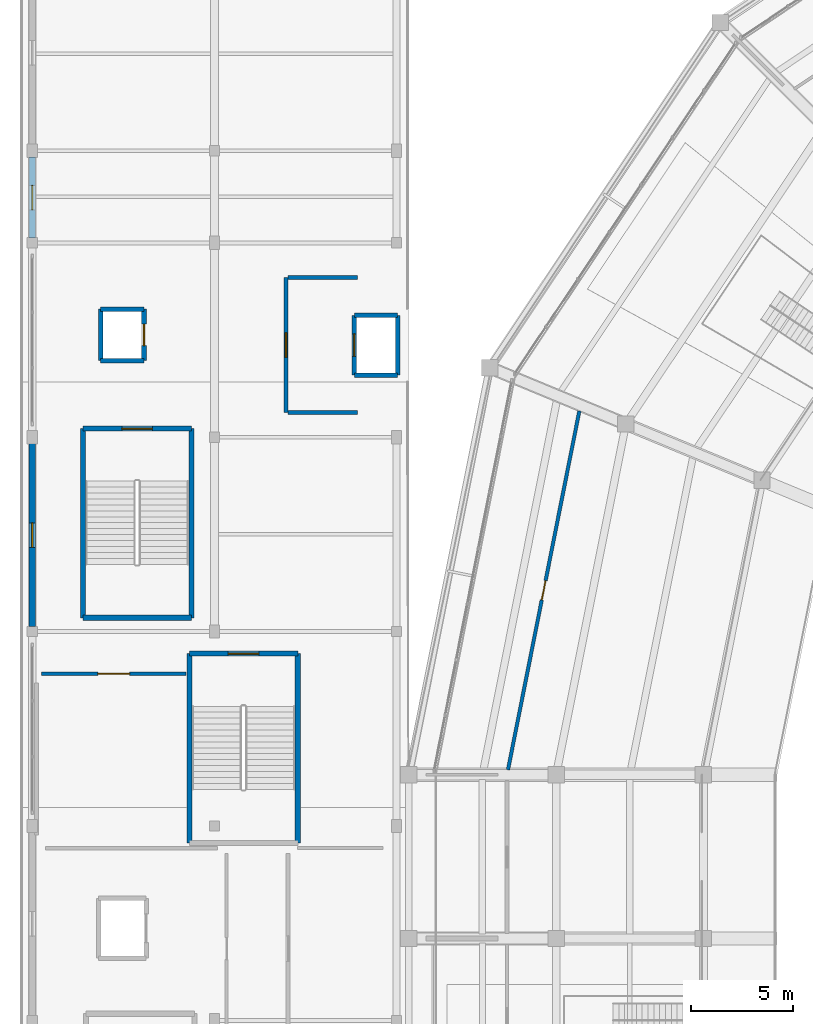
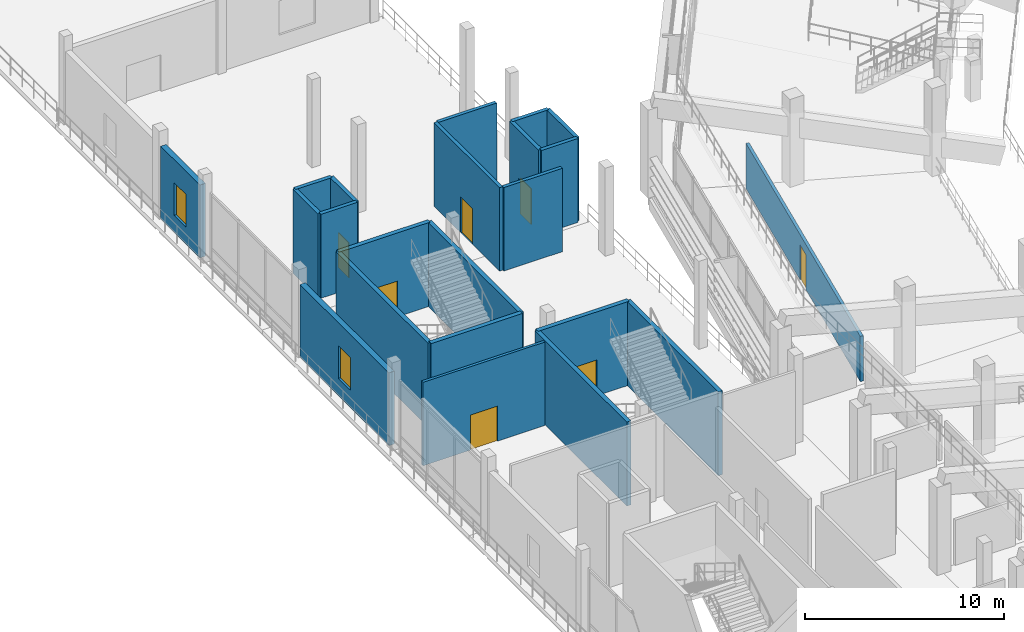
# One storey, part 63 of 96: 22 walls, 7 doors, 2 windows, 9 openings.
"""IFC4 building model written with IfcOpenShell, lengths in metres."""

from ifc_helpers import new_model, si_unit, direction, frame, frame_2d, origin, place, context, subcontext, project, spatial, rectangle, extrude, material, layer, layer_set, type_object, element, fill, save


model = new_model("IFC4")

# Units and contexts
model_context = context("Model", 3, precision=1e-05, world=origin(), true_north=direction((0.0, 1.0)))
body_context = subcontext(model_context, "Body", "Model", "MODEL_VIEW")
ifc_project = project(units=[si_unit("LENGTHUNIT", "METRE"), si_unit("AREAUNIT", "SQUARE_METRE"), si_unit("VOLUMEUNIT", "CUBIC_METRE"), si_unit("PLANEANGLEUNIT", "RADIAN"), si_unit("MASSUNIT", "GRAM", prefix="KILO")], contexts=[model_context])

# Site, building, storey
site_placement = place(None, origin())
site = spatial("IfcSite", under=ifc_project, at=site_placement, CompositionType="ELEMENT")
building_placement = place(site_placement, origin())
building = spatial("IfcBuilding", under=site, at=building_placement, Name="Candeia Ridge Stadium", CompositionType="ELEMENT")
storey_placement = place(building_placement, frame((0.0, 0.0, 21.60009765625)))
storey = spatial("IfcBuildingStorey", under=building, at=storey_placement, Name="L04", CompositionType="ELEMENT", Elevation=21.60009765625)

# Wall, opening, door
ifc_material_1 = material(Name="Gypsum Acoustic Twin-Stud Assembly", Category="gypsum")
ifc_layer_1 = layer(ifc_material_1, 0.159912109375, Name="Gypsum Acoustic Twin-Stud Assembly", Category="gypsum")
ifc_layer_set_1 = layer_set([ifc_layer_1], Name="Gypsum Acoustic Twin-Stud Assembly")
wall_type_1 = type_object("IfcWallType", Name="Club Dining Acoustic Partition 160", PredefinedType="PARTITIONING", material=ifc_layer_set_1)
wall_1_placement = place(storey_placement, frame((1.050048828125, 99.93310546875, 0.0), z_axis=(0.0, 0.0, 1.0), x_axis=(1.0, 0.0, 0.0)))
wall_1 = element("IfcWall", 1, at=wall_1_placement, inside=storey, type_object=wall_type_1, Name="Interior partition PT-L04-0638", PredefinedType="PARTITIONING", context=body_context, shape_type="SweptSolid", body=[
    extrude(rectangle(XDim=7.06005859375, YDim=0.159912109375, at=frame_2d((3.530029296875, 0.0))), origin(), (0.0, 0.0, 1.0), 5.119873046875),
])
opening_1_placement = place(wall_1_placement, frame((2.7548828125, 0.0, 0.0)))
opening_1 = element("IfcOpeningElement", 2, at=opening_1_placement, cuts=wall_1, Name="Opening ID14", PredefinedType="OPENING", context=body_context, shape_type="SweptSolid", body=[
    extrude(rectangle(XDim=1.550048828125, YDim=2.14990234375, at=frame_2d((0.77490234375, 1.074951171875))), frame((0.0, 0.08984375, 0.0), z_axis=(0.0, -1.0, 0.0), x_axis=(1.0, 0.0, 0.0)), (0.0, 0.0, 1.0), 0.179931640625),
])
ifc_material_2 = material(Name="Brushed Stainless Steel", Category="steel")
door_type_1 = type_object("IfcDoorType", Name="Catering Kitchen Double Door 1550x2150", OperationType="NOTDEFINED", PredefinedType="DOOR", material=ifc_material_2)
door_1_placement = place(opening_1_placement, origin())
door_1 = element("IfcDoor", 3, at=door_1_placement, inside=storey, type_object=door_type_1, Name="Interior room door D-L04-0328", OperationType="DOUBLE_DOOR_SINGLE_SWING", OverallHeight=2.14990234375, OverallWidth=1.550048828125, PredefinedType="DOOR", context=body_context, shape_type="SweptSolid", body=[
    extrude(rectangle(XDim=1.550048828125, YDim=2.14990234375, at=frame_2d((0.77490234375, 1.074951171875))), frame((0.0, 0.02490234375, 0.0), z_axis=(0.0, -1.0, 0.0), x_axis=(1.0, 0.0, 0.0)), (0.0, 0.0, 1.0), 0.050048828125),
])
fill(opening_1, door_1)

# Walls
ifc_material_3 = material(Name="Concrete C40/50", Category="concrete")
ifc_layer_2 = layer(ifc_material_3, 0.25, Name="Concrete C40/50", Category="concrete")
ifc_layer_set_2 = layer_set([ifc_layer_2], Name="Concrete C40/50")
wall_type_2 = type_object("IfcWallType", Name="Core Shear Wall Concrete 250", PredefinedType="SHEAR", material=ifc_layer_set_2)
wall_2_placement = place(storey_placement, frame((3.075439453125, 111.924560546875, 0.0), z_axis=(0.0, 0.0, 1.0), x_axis=(0.0, -1.0, 0.0)))
element("IfcWall", 4, at=wall_2_placement, inside=storey, type_object=wall_type_2, Name="Core C06 left shear wall L04", PredefinedType="SHEAR", context=body_context, shape_type="SweptSolid", body=[
    extrude(rectangle(XDim=9.249267578125, YDim=0.25, at=frame_2d((4.62451171875, 0.0))), origin(), (0.0, 0.0, 1.0), 5.14990234375),
])
wall_3_placement = place(storey_placement, frame((3.075439453125, 102.67529296875, 0.0), z_axis=(0.0, 0.0, 1.0), x_axis=(1.0, 0.0, 0.0)))
element("IfcWall", 5, at=wall_3_placement, inside=storey, type_object=wall_type_2, Name="Core C06 far shear wall L04", PredefinedType="SHEAR", context=body_context, shape_type="SweptSolid", body=[
    extrude(rectangle(XDim=5.299072265625, YDim=0.25, at=frame_2d((2.6494140625, 0.0))), origin(), (0.0, 0.0, 1.0), 5.14990234375),
])
wall_4_placement = place(storey_placement, frame((8.37451171875, 102.67529296875, 0.0), z_axis=(0.0, 0.0, 1.0), x_axis=(0.0, 1.0, 0.0)))
element("IfcWall", 6, at=wall_4_placement, inside=storey, type_object=wall_type_2, Name="Core C06 right shear wall L04", PredefinedType="SHEAR", context=body_context, shape_type="SweptSolid", body=[
    extrude(rectangle(XDim=9.249267578125, YDim=0.25, at=frame_2d((4.62451171875, 0.0))), origin(), (0.0, 0.0, 1.0), 5.14990234375),
])

# Wall, opening, door
wall_5_placement = place(storey_placement, frame((8.37451171875, 111.924560546875, 0.0), z_axis=(0.0, 0.0, 1.0), x_axis=(-1.0, 0.0, 0.0)))
wall_5 = element("IfcWall", 7, at=wall_5_placement, inside=storey, type_object=wall_type_2, Name="Core C06 near shear wall L04", PredefinedType="SHEAR", context=body_context, shape_type="SweptSolid", body=[
    extrude(rectangle(XDim=5.299072265625, YDim=0.25, at=frame_2d((2.6494140625, 0.0))), origin(), (0.0, 0.0, 1.0), 5.14990234375),
])
opening_2_placement = place(wall_5_placement, frame((1.899658203125, 0.0, 0.0)))
opening_2 = element("IfcOpeningElement", 8, at=opening_2_placement, cuts=wall_5, Name="Opening FD01", PredefinedType="OPENING", context=body_context, shape_type="SweptSolid", body=[
    extrude(rectangle(XDim=1.5, YDim=2.199951171875, at=frame_2d((0.75, 1.10009765625))), frame((0.0, 0.135009765625, 0.0), z_axis=(0.0, -1.0, 0.0), x_axis=(1.0, 0.0, 0.0)), (0.0, 0.0, 1.0), 0.27001953125),
])
ifc_material_4 = material(Name="Galvanized Fire-Rated Steel", Category="steel")
door_type_2 = type_object("IfcDoorType", Name="Exit Stair Core Fire Door 1500x2200", OperationType="NOTDEFINED", PredefinedType="DOOR", material=ifc_material_4)
door_2_placement = place(opening_2_placement, origin())
door_2 = element("IfcDoor", 9, at=door_2_placement, inside=storey, type_object=door_type_2, Name="Exit stair fire door SD-ST06-L04", OperationType="DOUBLE_DOOR_SINGLE_SWING", OverallHeight=2.199951171875, OverallWidth=1.5, PredefinedType="DOOR", context=body_context, shape_type="SweptSolid", body=[
    extrude(rectangle(XDim=1.5, YDim=2.199951171875, at=frame_2d((0.75, 1.10009765625))), frame((0.0, 0.02490234375, 0.0), z_axis=(0.0, -1.0, 0.0), x_axis=(1.0, 0.0, 0.0)), (0.0, 0.0, 1.0), 0.050048828125),
])
fill(opening_2, door_2)

# Walls
for number, where, z_axis, x_axis, name in (
    (10, (8.275390625, 100.924560546875, 0.0), (0.0, 0.0, 1.0), (0.0, -1.0, 0.0), "Core C08 left shear wall L04"),
    (11, (13.57470703125, 91.67529296875, 0.0), (0.0, 0.0, 1.0), (0.0, 1.0, 0.0), "Core C08 right shear wall L04"),
):
    element("IfcWall", number, at=place(storey_placement, frame(where, z_axis=z_axis, x_axis=x_axis)), inside=storey, type_object=wall_type_2, Name=name, PredefinedType="SHEAR", context=body_context, shape_type="SweptSolid", body=[
        extrude(rectangle(XDim=9.249267578125, YDim=0.25, at=frame_2d((4.62451171875, 0.0))), origin(), (0.0, 0.0, 1.0), 5.14990234375),
    ])

# Wall, opening, door
wall_6_placement = place(storey_placement, frame((13.57470703125, 100.924560546875, 0.0), z_axis=(0.0, 0.0, 1.0), x_axis=(-1.0, 0.0, 0.0)))
wall_6 = element("IfcWall", 12, at=wall_6_placement, inside=storey, type_object=wall_type_2, Name="Core C08 near shear wall L04", PredefinedType="SHEAR", context=body_context, shape_type="SweptSolid", body=[
    extrude(rectangle(XDim=5.29931640625, YDim=0.25, at=frame_2d((2.649658203125, 0.0))), origin(), (0.0, 0.0, 1.0), 5.14990234375),
])
opening_3_placement = place(wall_6_placement, frame((1.899658203125, 0.0, 0.0)))
opening_3 = element("IfcOpeningElement", 13, at=opening_3_placement, cuts=wall_6, Name="Opening FD01", PredefinedType="OPENING", context=body_context, shape_type="SweptSolid", body=[
    extrude(rectangle(XDim=1.5, YDim=2.199951171875, at=frame_2d((0.75, 1.10009765625))), frame((0.0, 0.135009765625, 0.0), z_axis=(0.0, -1.0, 0.0), x_axis=(1.0, 0.0, 0.0)), (0.0, 0.0, 1.0), 0.27001953125),
])
door_3_placement = place(opening_3_placement, origin())
door_3 = element("IfcDoor", 14, at=door_3_placement, inside=storey, type_object=door_type_2, Name="Exit stair fire door SD-ST08-L04", OperationType="DOUBLE_DOOR_SINGLE_SWING", OverallHeight=2.199951171875, OverallWidth=1.5, PredefinedType="DOOR", context=body_context, shape_type="SweptSolid", body=[
    extrude(rectangle(XDim=1.5, YDim=2.199951171875, at=frame_2d((0.75, 1.10009765625))), frame((0.0, 0.02490234375, 0.0), z_axis=(0.0, -1.0, 0.0), x_axis=(1.0, 0.0, 0.0)), (0.0, 0.0, 1.0), 0.050048828125),
])
fill(opening_3, door_3)

# Wall, opening, window
ifc_material_5 = material(Name="Concrete C35/45", Category="concrete")
ifc_layer_3 = layer(ifc_material_5, 0.320068359375, Name="Concrete C35/45", Category="concrete")
ifc_layer_set_3 = layer_set([ifc_layer_3], Name="Concrete C35/45")
wall_type_3 = type_object("IfcWallType", Name="Exterior Cedar-Clad Insulated Wall 320", PredefinedType="SOLIDWALL", material=ifc_layer_set_3)
wall_7_placement = place(storey_placement, frame((0.60009765625, 102.238037109375, 0.0), z_axis=(0.0, 0.0, 1.0), x_axis=(0.0, 1.0, 0.0)))
wall_7 = element("IfcWall", 15, at=wall_7_placement, inside=storey, type_object=wall_type_3, Name="Exterior facade wall EW-L04-0103", PredefinedType="SOLIDWALL", context=body_context, shape_type="SweptSolid", body=[
    extrude(rectangle(XDim=8.948974609375, YDim=0.320068359375, at=frame_2d((4.474609375, 0.0))), origin(), (0.0, 0.0, 1.0), 4.46484375),
])
opening_4_placement = place(wall_7_placement, frame((3.87451171875, 0.0, 1.050048828125)))
opening_4 = element("IfcOpeningElement", 16, at=opening_4_placement, cuts=wall_7, Name="Opening W16", PredefinedType="OPENING", context=body_context, shape_type="SweptSolid", body=[
    extrude(rectangle(XDim=1.199951171875, YDim=2.0, at=frame_2d((0.60009765625, 1.0))), frame((0.0, 0.169921875, 0.0), z_axis=(0.0, -1.0, 0.0), x_axis=(1.0, 0.0, 0.0)), (0.0, 0.0, 1.0), 0.340087890625),
])
ifc_material_6 = material(Name="Tempered Solar-Control Double Glazing", Category="glass")
window_type = type_object("IfcWindowType", Name="Stair Core Daylight Window 1200x2000", PartitioningType="SINGLE_PANEL", PredefinedType="WINDOW", material=ifc_material_6)
window_1_placement = place(opening_4_placement, origin())
window_1 = element("IfcWindow", 17, at=window_1_placement, inside=storey, type_object=window_type, Name="Exterior window WIN-L04-056", OverallHeight=2.0, OverallWidth=1.199951171875, PartitioningType="SINGLE_PANEL", PredefinedType="WINDOW", context=body_context, shape_type="SweptSolid", body=[
    extrude(rectangle(XDim=1.199951171875, YDim=2.0, at=frame_2d((0.60009765625, 1.0))), frame((0.0, 0.030029296875, 0.0), z_axis=(0.0, -1.0, 0.0), x_axis=(1.0, 0.0, 0.0)), (0.0, 0.0, 1.0), 0.06005859375),
])
fill(opening_4, window_1)

wall_8_placement = place(storey_placement, frame((0.60009765625, 121.238037109375, 0.0), z_axis=(0.0, 0.0, 1.0), x_axis=(0.0, 1.0, 0.0)))
wall_8 = element("IfcWall", 18, at=wall_8_placement, inside=storey, type_object=wall_type_3, Name="Exterior facade wall EW-L04-0104", PredefinedType="SOLIDWALL", context=body_context, shape_type="SweptSolid", body=[
    extrude(rectangle(XDim=3.948974609375, YDim=0.320068359375, at=frame_2d((1.974609375, 0.0))), origin(), (0.0, 0.0, 1.0), 4.46484375),
])
opening_5_placement = place(wall_8_placement, frame((1.37451171875, 0.0, 1.050048828125)))
opening_5 = element("IfcOpeningElement", 19, at=opening_5_placement, cuts=wall_8, Name="Opening W16", PredefinedType="OPENING", context=body_context, shape_type="SweptSolid", body=[
    extrude(rectangle(XDim=1.199951171875, YDim=2.0, at=frame_2d((0.60009765625, 1.0))), frame((0.0, 0.169921875, 0.0), z_axis=(0.0, -1.0, 0.0), x_axis=(1.0, 0.0, 0.0)), (0.0, 0.0, 1.0), 0.340087890625),
])
window_2_placement = place(opening_5_placement, origin())
window_2 = element("IfcWindow", 20, at=window_2_placement, inside=storey, type_object=window_type, Name="Exterior window WIN-L04-057", OverallHeight=2.0, OverallWidth=1.199951171875, PartitioningType="SINGLE_PANEL", PredefinedType="WINDOW", context=body_context, shape_type="SweptSolid", body=[
    extrude(rectangle(XDim=1.199951171875, YDim=2.0, at=frame_2d((0.60009765625, 1.0))), frame((0.0, 0.030029296875, 0.0), z_axis=(0.0, -1.0, 0.0), x_axis=(1.0, 0.0, 0.0)), (0.0, 0.0, 1.0), 0.06005859375),
])
fill(opening_5, window_2)

# Walls
ifc_layer_4 = layer(ifc_material_5, 0.199951171875, Name="Concrete C35/45", Category="concrete")
ifc_layer_set_4 = layer_set([ifc_layer_4], Name="Concrete C35/45")
wall_type_4 = type_object("IfcWallType", Name="Firefighting Lobby Rated Wall 200", PredefinedType="SOLIDWALL", material=ifc_layer_set_4)
for number, where, z_axis, x_axis, name in (
    (21, (13.10009765625, 112.699951171875, 0.0), (0.0, 0.0, 1.0), (1.0, 0.0, 0.0), "Firefighting lift lobby FF2 rated wall L04 south"),
    (22, (16.5, 119.300048828125, 0.0), (0.0, 0.0, 1.0), (-1.0, 0.0, 0.0), "Firefighting lift lobby FF2 rated wall L04 north"),
):
    element("IfcWall", number, at=place(storey_placement, frame(where, z_axis=z_axis, x_axis=x_axis)), inside=storey, type_object=wall_type_4, Name=name, PredefinedType="SOLIDWALL", context=body_context, shape_type="SweptSolid", body=[
        extrude(rectangle(XDim=3.39990234375, YDim=0.199951171875, at=frame_2d((1.699951171875, 0.0))), origin(), (0.0, 0.0, 1.0), 5.119873046875),
    ])

# Wall, opening, door
wall_9_placement = place(storey_placement, frame((13.0, 119.300048828125, 0.0), z_axis=(0.0, 0.0, 1.0), x_axis=(0.0, -1.0, 0.0)))
wall_9 = element("IfcWall", 23, at=wall_9_placement, inside=storey, type_object=wall_type_4, Name="Firefighting lift lobby FF2 rated wall L04 entry", PredefinedType="SOLIDWALL", context=body_context, shape_type="SweptSolid", body=[
    extrude(rectangle(XDim=6.60009765625, YDim=0.199951171875, at=frame_2d((3.300048828125, 0.0))), origin(), (0.0, 0.0, 1.0), 5.119873046875),
])
opening_6_placement = place(wall_9_placement, frame((2.699951171875, 0.0, 0.0)))
opening_6 = element("IfcOpeningElement", 24, at=opening_6_placement, cuts=wall_9, Name="Opening FD02", PredefinedType="OPENING", context=body_context, shape_type="SweptSolid", body=[
    extrude(rectangle(XDim=1.199951171875, YDim=2.199951171875, at=frame_2d((0.60009765625, 1.10009765625))), frame((0.0, 0.10986328125, 0.0), z_axis=(0.0, -1.0, 0.0), x_axis=(1.0, 0.0, 0.0)), (0.0, 0.0, 1.0), 0.219970703125),
])
door_type_3 = type_object("IfcDoorType", Name="Firefighting Lobby Fire Door 1200x2200", OperationType="NOTDEFINED", PredefinedType="DOOR", material=ifc_material_4)
door_4_placement = place(opening_6_placement, frame((1.199951171875, 0.0, 0.0), z_axis=(0.0, 0.0, 1.0), x_axis=(-1.0, 0.0, 0.0)))
door_4 = element("IfcDoor", 25, at=door_4_placement, inside=storey, type_object=door_type_3, Name="Firefighting lobby fire door FFD-FF2-L04", OperationType="SINGLE_SWING_LEFT", OverallHeight=2.199951171875, OverallWidth=1.199951171875, PredefinedType="DOOR", context=body_context, shape_type="SweptSolid", body=[
    extrude(rectangle(XDim=1.199951171875, YDim=2.199951171875, at=frame_2d((0.60009765625, 1.10009765625))), frame((0.0, 0.02490234375, 0.0), z_axis=(0.0, -1.0, 0.0), x_axis=(1.0, 0.0, 0.0)), (0.0, 0.0, 1.0), 0.050048828125),
])
fill(opening_6, door_4)

# Walls
ifc_layer_5 = layer(ifc_material_3, 0.219970703125, Name="Concrete C40/50", Category="concrete")
ifc_layer_set_5 = layer_set([ifc_layer_5], Name="Concrete C40/50")
wall_type_5 = type_object("IfcWallType", Name="Lift & Riser Shaft Wall 220", PredefinedType="SHEAR", material=ifc_layer_set_5)
wall_10_placement = place(storey_placement, frame((16.340087890625, 114.5400390625, 0.0), z_axis=(0.0, 0.0, 1.0), x_axis=(1.0, 0.0, 0.0)))
element("IfcWall", 26, at=wall_10_placement, inside=storey, type_object=wall_type_5, Name="Lift FF2 shaft wall L04 south", PredefinedType="SHEAR", context=body_context, shape_type="SweptSolid", body=[
    extrude(rectangle(XDim=2.119873046875, YDim=0.219970703125, at=frame_2d((1.06005859375, 0.0))), origin(), (0.0, 0.0, 1.0), 5.14990234375),
])
wall_11_placement = place(storey_placement, frame((18.4599609375, 114.5400390625, 0.0), z_axis=(0.0, 0.0, 1.0), x_axis=(0.0, 1.0, 0.0)))
element("IfcWall", 27, at=wall_11_placement, inside=storey, type_object=wall_type_5, Name="Lift FF2 shaft wall L04 east", PredefinedType="SHEAR", context=body_context, shape_type="SweptSolid", body=[
    extrude(rectangle(XDim=2.919921875, YDim=0.219970703125, at=frame_2d((1.4599609375, 0.0))), origin(), (0.0, 0.0, 1.0), 5.14990234375),
])
wall_12_placement = place(storey_placement, frame((18.4599609375, 117.4599609375, 0.0), z_axis=(0.0, 0.0, 1.0), x_axis=(-1.0, 0.0, 0.0)))
element("IfcWall", 28, at=wall_12_placement, inside=storey, type_object=wall_type_5, Name="Lift FF2 shaft wall L04 north", PredefinedType="SHEAR", context=body_context, shape_type="SweptSolid", body=[
    extrude(rectangle(XDim=2.119873046875, YDim=0.219970703125, at=frame_2d((1.06005859375, 0.0))), origin(), (0.0, 0.0, 1.0), 5.14990234375),
])

# Wall, opening, door
wall_13_placement = place(storey_placement, frame((16.340087890625, 117.4599609375, 0.0), z_axis=(0.0, 0.0, 1.0), x_axis=(0.0, -1.0, 0.0)))
wall_13 = element("IfcWall", 29, at=wall_13_placement, inside=storey, type_object=wall_type_5, Name="Lift FF2 shaft wall L04 west", PredefinedType="SHEAR", context=body_context, shape_type="SweptSolid", body=[
    extrude(rectangle(XDim=2.919921875, YDim=0.219970703125, at=frame_2d((1.4599609375, 0.0))), origin(), (0.0, 0.0, 1.0), 5.14990234375),
])
opening_7_placement = place(wall_13_placement, frame((0.909912109375, 0.0, 0.0)))
opening_7 = element("IfcOpeningElement", 30, at=opening_7_placement, cuts=wall_13, Name="Opening LD01", PredefinedType="OPENING", context=body_context, shape_type="SweptSolid", body=[
    extrude(rectangle(XDim=1.10009765625, YDim=2.199951171875, at=frame_2d((0.550048828125, 1.10009765625))), frame((0.0, 0.119873046875, 0.0), z_axis=(0.0, -1.0, 0.0), x_axis=(1.0, 0.0, 0.0)), (0.0, 0.0, 1.0), 0.239990234375),
])
door_type_4 = type_object("IfcDoorType", Name="Firefighting Lift Landing Door 1100x2200", OperationType="NOTDEFINED", PredefinedType="DOOR", material=ifc_material_2)
door_5_placement = place(opening_7_placement, origin())
door_5 = element("IfcDoor", 31, at=door_5_placement, inside=storey, type_object=door_type_4, Name="Lift landing sliding door LD-FF2-L04", OperationType="DOUBLE_DOOR_SLIDING", OverallHeight=2.199951171875, OverallWidth=1.10009765625, PredefinedType="DOOR", context=body_context, shape_type="SweptSolid", body=[
    extrude(rectangle(XDim=1.10009765625, YDim=2.199951171875, at=frame_2d((0.550048828125, 1.10009765625))), frame((0.0, 0.02490234375, 0.0), z_axis=(0.0, -1.0, 0.0), x_axis=(1.0, 0.0, 0.0)), (0.0, 0.0, 1.0), 0.050048828125),
])
fill(opening_7, door_5)

# Wall
wall_14_placement = place(storey_placement, frame((3.93994140625, 115.239990234375, 0.0), z_axis=(0.0, 0.0, 1.0), x_axis=(1.0, 0.0, 0.0)))
element("IfcWall", 32, at=wall_14_placement, inside=storey, type_object=wall_type_5, Name="Lift VL2 shaft wall L04 south", PredefinedType="SHEAR", context=body_context, shape_type="SweptSolid", body=[
    extrude(rectangle(XDim=2.1201171875, YDim=0.219970703125, at=frame_2d((1.06005859375, 0.0))), origin(), (0.0, 0.0, 1.0), 5.14990234375),
])

# Wall, opening, door
wall_15_placement = place(storey_placement, frame((6.06005859375, 115.239990234375, 0.0), z_axis=(0.0, 0.0, 1.0), x_axis=(0.0, 1.0, 0.0)))
wall_15 = element("IfcWall", 33, at=wall_15_placement, inside=storey, type_object=wall_type_5, Name="Lift VL2 shaft wall L04 east", PredefinedType="SHEAR", context=body_context, shape_type="SweptSolid", body=[
    extrude(rectangle(XDim=2.52001953125, YDim=0.219970703125, at=frame_2d((1.260009765625, 0.0))), origin(), (0.0, 0.0, 1.0), 5.14990234375),
])
opening_8_placement = place(wall_15_placement, frame((0.735107421875, 0.0, 0.0)))
opening_8 = element("IfcOpeningElement", 34, at=opening_8_placement, cuts=wall_15, Name="Opening LD02", PredefinedType="OPENING", context=body_context, shape_type="SweptSolid", body=[
    extrude(rectangle(XDim=1.050048828125, YDim=2.14990234375, at=frame_2d((0.52490234375, 1.074951171875))), frame((0.0, 0.119873046875, 0.0), z_axis=(0.0, -1.0, 0.0), x_axis=(1.0, 0.0, 0.0)), (0.0, 0.0, 1.0), 0.239990234375),
])
door_type_5 = type_object("IfcDoorType", Name="Passenger Lift Landing Door 1050x2150", OperationType="NOTDEFINED", PredefinedType="DOOR", material=ifc_material_2)
door_6_placement = place(opening_8_placement, origin())
door_6 = element("IfcDoor", 35, at=door_6_placement, inside=storey, type_object=door_type_5, Name="Lift landing sliding door LD-VL2-L04", OperationType="DOUBLE_DOOR_SLIDING", OverallHeight=2.14990234375, OverallWidth=1.050048828125, PredefinedType="DOOR", context=body_context, shape_type="SweptSolid", body=[
    extrude(rectangle(XDim=1.050048828125, YDim=2.14990234375, at=frame_2d((0.52490234375, 1.074951171875))), frame((0.0, 0.02490234375, 0.0), z_axis=(0.0, -1.0, 0.0), x_axis=(1.0, 0.0, 0.0)), (0.0, 0.0, 1.0), 0.050048828125),
])
fill(opening_8, door_6)

# Walls
wall_16_placement = place(storey_placement, frame((6.06005859375, 117.760009765625, 0.0), z_axis=(0.0, 0.0, 1.0), x_axis=(-1.0, 0.0, 0.0)))
element("IfcWall", 36, at=wall_16_placement, inside=storey, type_object=wall_type_5, Name="Lift VL2 shaft wall L04 north", PredefinedType="SHEAR", context=body_context, shape_type="SweptSolid", body=[
    extrude(rectangle(XDim=2.1201171875, YDim=0.219970703125, at=frame_2d((1.06005859375, 0.0))), origin(), (0.0, 0.0, 1.0), 5.14990234375),
])
wall_17_placement = place(storey_placement, frame((3.93994140625, 117.760009765625, 0.0), z_axis=(0.0, 0.0, 1.0), x_axis=(0.0, -1.0, 0.0)))
element("IfcWall", 37, at=wall_17_placement, inside=storey, type_object=wall_type_5, Name="Lift VL2 shaft wall L04 west", PredefinedType="SHEAR", context=body_context, shape_type="SweptSolid", body=[
    extrude(rectangle(XDim=2.52001953125, YDim=0.219970703125, at=frame_2d((1.260009765625, 0.0))), origin(), (0.0, 0.0, 1.0), 5.14990234375),
])

# Wall, opening, door
ifc_layer_6 = layer(ifc_material_1, 0.169921875, Name="Gypsum Acoustic Twin-Stud Assembly", Category="gypsum")
ifc_layer_set_6 = layer_set([ifc_layer_6], Name="Gypsum Acoustic Twin-Stud Assembly")
wall_type_6 = type_object("IfcWallType", Name="Skybox Demising Acoustic Wall 170", PredefinedType="PARTITIONING", material=ifc_layer_set_6)
wall_18_placement = place(storey_placement, frame((27.336181640625, 112.7783203125, 0.0), z_axis=(0.0, 0.0, 1.0), x_axis=(-0.195075994915, -0.980788130132, 0.0)))
wall_18 = element("IfcWall", 38, at=wall_18_placement, inside=storey, type_object=wall_type_6, Name="Interior partition PT-L04-0644", PredefinedType="PARTITIONING", context=body_context, shape_type="SweptSolid", body=[
    extrude(rectangle(XDim=17.876708984375, YDim=0.169921875, at=frame_2d((8.9384765625, 0.0))), origin(), (0.0, 0.0, 1.0), 2.772216796875),
])
opening_9_placement = place(wall_18_placement, frame((8.463134765625, 0.0, 0.0)))
opening_9 = element("IfcOpeningElement", 39, at=opening_9_placement, cuts=wall_18, Name="Opening ID05", PredefinedType="OPENING", context=body_context, shape_type="SweptSolid", body=[
    extrude(rectangle(XDim=0.949951171875, YDim=2.14990234375, at=frame_2d((0.47509765625, 1.074951171875))), frame((0.0, 0.094970703125, 0.0), z_axis=(0.0, -1.0, 0.0), x_axis=(1.0, 0.0, 0.0)), (0.0, 0.0, 1.0), 0.18994140625),
])
ifc_material_7 = material(Name="Solid Core Cedar Veneer", Category="wood")
door_type_6 = type_object("IfcDoorType", Name="General Room Single Door 950x2150", OperationType="NOTDEFINED", PredefinedType="DOOR", material=ifc_material_7)
door_7_placement = place(opening_9_placement, origin())
door_7 = element("IfcDoor", 40, at=door_7_placement, inside=storey, type_object=door_type_6, Name="Interior room door D-L04-0331", OperationType="SINGLE_SWING_LEFT", OverallHeight=2.14990234375, OverallWidth=0.949951171875, PredefinedType="DOOR", context=body_context, shape_type="SweptSolid", body=[
    extrude(rectangle(XDim=0.949951171875, YDim=2.14990234375, at=frame_2d((0.47509765625, 1.074951171875))), frame((0.0, 0.02490234375, 0.0), z_axis=(0.0, -1.0, 0.0), x_axis=(1.0, 0.0, 0.0)), (0.0, 0.0, 1.0), 0.050048828125),
])
fill(opening_9, door_7)

save(model, "model.ifc")
